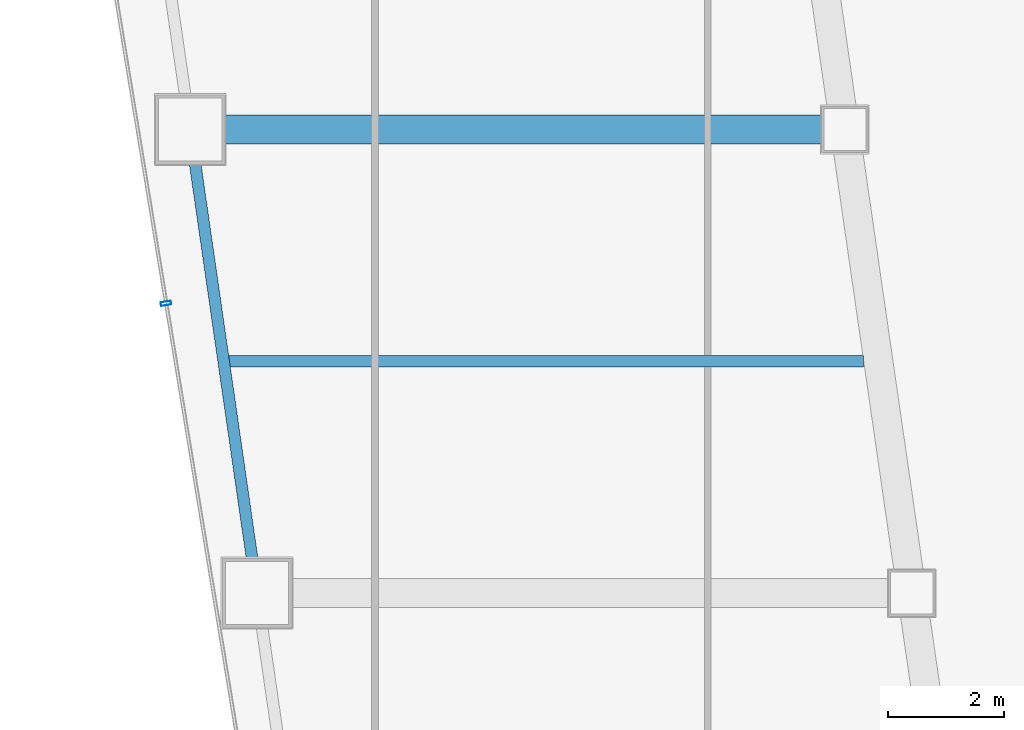
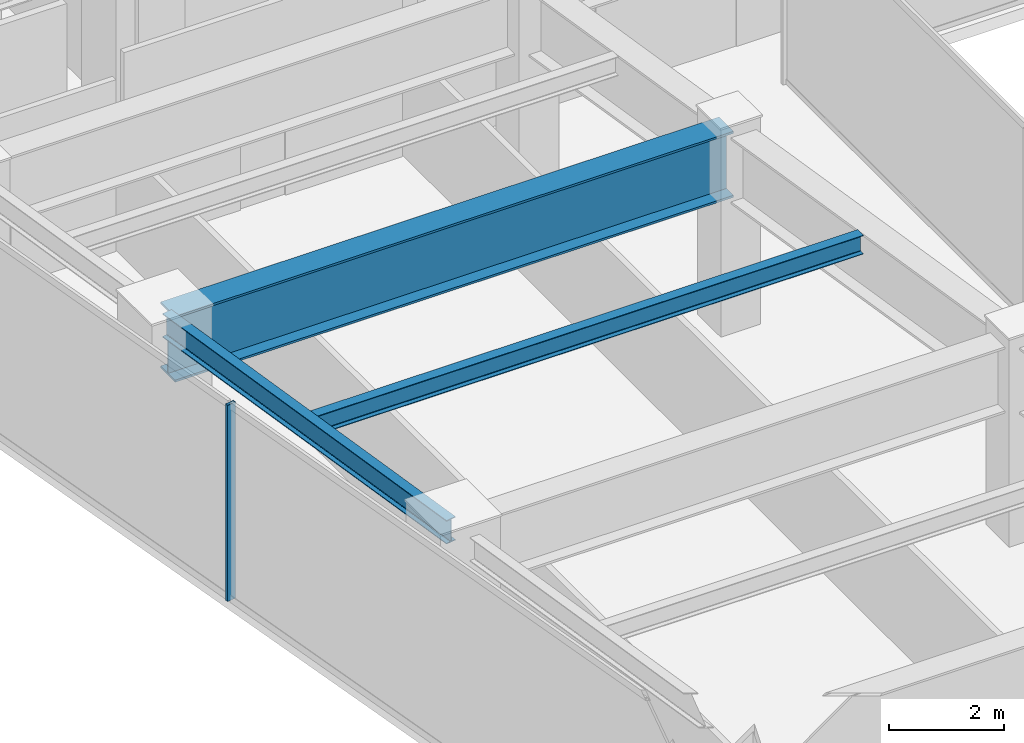
# One storey, part 11 of 40: 3 beams, 1 member, 1 element without a shape of its own.
"""IFC4 building model written with IfcOpenShell, lengths in metres."""

from ifc_helpers import new_model, si_unit, direction, frame, origin, origin_2d, place, context, subcontext, project, spatial, hollow_rectangle, i_section, extrude, material, material_profile, profile_set, type_object, element, aggregate, save


model = new_model("IFC4")

# Units and contexts
model_context = context("Model", 3, precision=1e-05, world=origin(), true_north=direction((0.0, 1.0)))
body_context = subcontext(model_context, "Body", "Model", "MODEL_VIEW")
ifc_project = project(units=[si_unit("LENGTHUNIT", "METRE"), si_unit("AREAUNIT", "SQUARE_METRE"), si_unit("VOLUMEUNIT", "CUBIC_METRE"), si_unit("PLANEANGLEUNIT", "RADIAN"), si_unit("MASSUNIT", "GRAM", prefix="KILO")], contexts=[model_context])

# Site, building, storey
site_placement = place(None, origin())
site = spatial("IfcSite", under=ifc_project, at=site_placement, CompositionType="ELEMENT")
building_placement = place(site_placement, origin())
building = spatial("IfcBuilding", under=site, at=building_placement, Name="Saevonmaru Cultural Tower", CompositionType="ELEMENT")
storey_placement = place(building_placement, frame((0.0, 0.0, 97.199951171875)))
storey = spatial("IfcBuildingStorey", under=building, at=storey_placement, Name="L20", CompositionType="ELEMENT", Elevation=97.199951171875)

# Beams
ifc_material_1 = material(Name="Steel SM355", Category="steel")
ifc_material_profile_1 = material_profile(ifc_material_1, i_section(OverallWidth=0.199951171875, OverallDepth=0.39990234375, WebThickness=0.008056640625, FlangeThickness=0.012939453125, FilletRadius=0.01611328125, at=origin_2d()), Name="H-400x200x8x13")
ifc_profile_set_1 = profile_set([ifc_material_profile_1], Name="Steel SM355")
beam_type_1 = type_object("IfcBeamType", Name="BM-J-H400", PredefinedType="JOIST", material=ifc_profile_set_1)
beam_1_placement = place(storey_placement, frame((8.95458984375, 28.0, 3.949951171875), z_axis=(1.0, 0.0, 0.0), x_axis=(0.0, 1.0, 0.0)))
element("IfcBeam", 1, at=beam_1_placement, inside=storey, type_object=beam_type_1, Name="L20 West Wing Floor Joist 4", PredefinedType="JOIST", context=body_context, shape_type="SweptSolid", body=[
    extrude(i_section(OverallWidth=0.199951171875, OverallDepth=0.39990234375, WebThickness=0.008056640625, FlangeThickness=0.012939453125, FilletRadius=0.01611328125, at=origin_2d()), origin(), (0.0, 0.0, 1.0), 10.98193359375),
])
ifc_material_profile_2 = material_profile(ifc_material_1, i_section(OverallWidth=0.199951171875, OverallDepth=0.5, WebThickness=0.010009765625, FlangeThickness=0.01611328125, FilletRadius=0.02001953125, at=origin_2d()), Name="H-500x200x10x16")
ifc_profile_set_2 = profile_set([ifc_material_profile_2], Name="Steel SM355")
beam_type_2 = type_object("IfcBeamType", Name="BM-SP-H500", PredefinedType="SPANDREL", material=ifc_profile_set_2)
beam_2_placement = place(storey_placement, frame((9.46337890625, 24.059326171875, 3.900146484375), z_axis=(-0.142871999001, 0.989741174197, 0.0), x_axis=(-0.989741174197, -0.142871999001, 0.0)))
element("IfcBeam", 2, at=beam_2_placement, inside=storey, type_object=beam_type_2, Name="L20 West Splayed Spandrel 4", PredefinedType="SPANDREL", context=body_context, shape_type="SweptSolid", body=[
    extrude(i_section(OverallWidth=0.199951171875, OverallDepth=0.5, WebThickness=0.010009765625, FlangeThickness=0.01611328125, FilletRadius=0.02001953125, at=origin_2d()), origin(), (0.0, 0.0, 1.0), 7.963134765625),
])
ifc_material_2 = material(Name="Steel HSA600 (600 MPa)", Category="steel")
ifc_material_profile_3 = material_profile(ifc_material_2, i_section(OverallWidth=0.5, OverallDepth=1.39990234375, WebThickness=0.02392578125, FlangeThickness=0.044921875, at=origin_2d()), Name="PG-1400x500x24x45")
ifc_profile_set_3 = profile_set([ifc_material_profile_3], Name="Steel HSA600 (600 MPa)")
beam_type_3 = type_object("IfcBeamType", Name="BM-TG-PG1400", PredefinedType="BEAM", material=ifc_profile_set_3)
beam_3_placement = place(storey_placement, frame((8.376953125, 32.0, 3.449951171875), z_axis=(1.0, 0.0, 0.0), x_axis=(0.0, 1.0, 0.0)))
element("IfcBeam", 3, at=beam_3_placement, inside=storey, type_object=beam_type_3, Name="L20 West Wing Transverse Girder 5", PredefinedType="BEAM", context=body_context, shape_type="SweptSolid", body=[
    extrude(i_section(OverallWidth=0.5, OverallDepth=1.39990234375, WebThickness=0.02392578125, FlangeThickness=0.044921875, at=origin_2d()), origin(), (0.0, 0.0, 1.0), 11.179931640625),
])

# Curtain wall, member
ifc_material_3 = material(Name="Satin Bronze Anodised Aluminium", Category="aluminium")
curtain_wall_type = type_object("IfcCurtainWallType", Name="CW-TYP-A", PredefinedType="NOTDEFINED", material=ifc_material_3)
curtain_wall_placement = place(storey_placement, origin())
curtain_wall = element("IfcCurtainWall", 4, at=curtain_wall_placement, inside=storey, type_object=curtain_wall_type, Name="L20 Unitised Curtain Wall E12", PredefinedType="NOTDEFINED")
ifc_material_profile_4 = material_profile(ifc_material_3, hollow_rectangle(XDim=0.06494140625, YDim=0.179931640625, WallThickness=0.00390625, at=origin_2d()), Name="ALU-MULL-180x65x4")
ifc_profile_set_4 = profile_set([ifc_material_profile_4], Name="Satin Bronze Anodised Aluminium")
member_type = type_object("IfcMemberType", Name="ML-CW-180x65", PredefinedType="MULLION", material=ifc_profile_set_4)
member_placement = place(storey_placement, frame((7.89990234375, 29.0, 0.0), z_axis=(0.0, 0.0, 1.0), x_axis=(0.161708868641, -0.986838508472, 0.0)))
member = element("IfcMember", 5, at=member_placement, type_object=member_type, Name="CW-TW-L20-E12 mullion 3", PredefinedType="MULLION", context=body_context, shape_type="SweptSolid", body=[
    extrude(hollow_rectangle(XDim=0.06494140625, YDim=0.179931640625, WallThickness=0.00390625, at=origin_2d()), origin(), (0.0, 0.0, 1.0), 4.150146484375),
])
aggregate(curtain_wall, [member])

save(model, "model.ifc")
